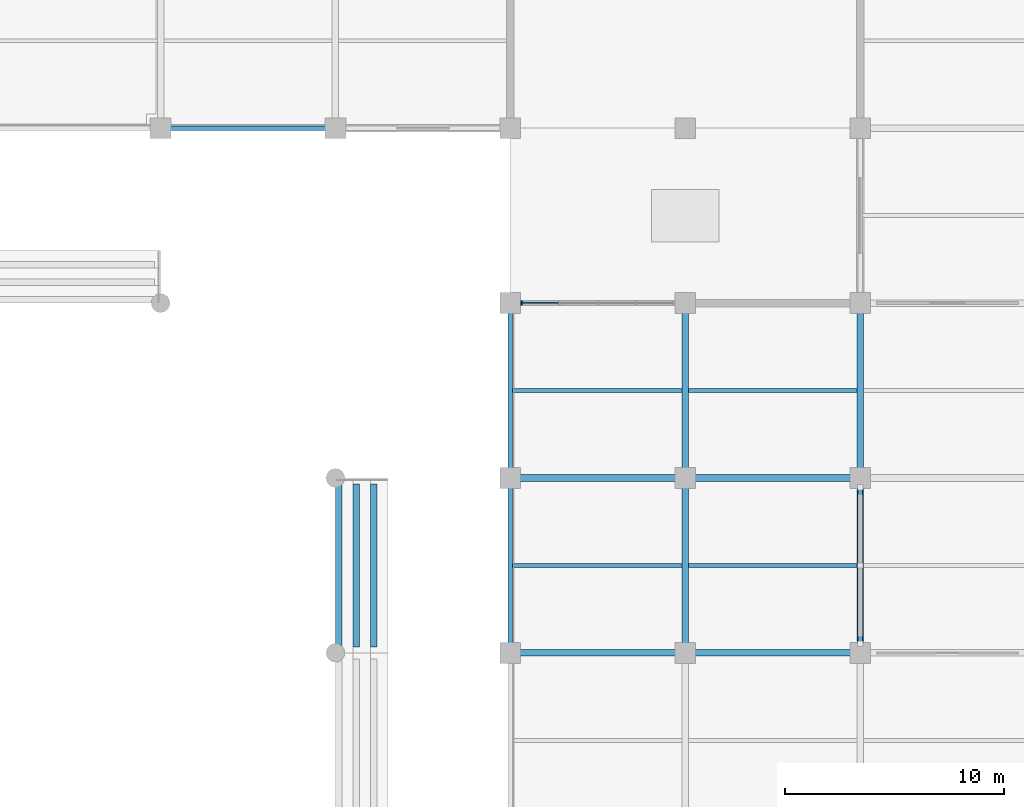
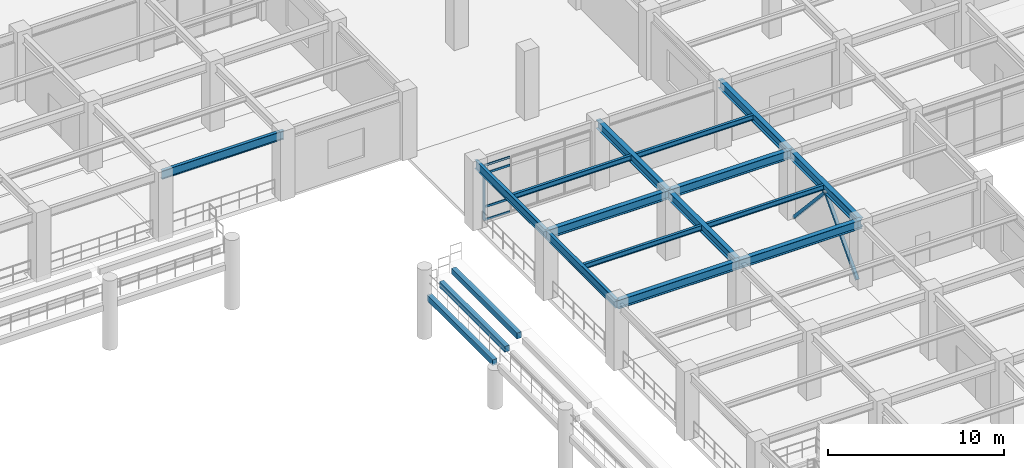
# One storey, part 44 of 109: 18 beams, 7 members, 1 element without a shape of its own.
"""IFC4 building model written with IfcOpenShell, lengths in metres."""

from ifc_helpers import new_model, si_unit, direction, frame, origin, origin_2d, place, context, subcontext, project, spatial, rectangle, hollow_rectangle, i_section, extrude, material, layer, layer_set, material_profile, profile_set, type_object, element, aggregate, save


model = new_model("IFC4")

# Units and contexts
model_context = context("Model", 3, precision=1e-05, world=origin(), true_north=direction((0.0, 1.0)))
body_context = subcontext(model_context, "Body", "Model", "MODEL_VIEW")
ifc_project = project(units=[si_unit("LENGTHUNIT", "METRE"), si_unit("AREAUNIT", "SQUARE_METRE"), si_unit("VOLUMEUNIT", "CUBIC_METRE"), si_unit("PLANEANGLEUNIT", "RADIAN"), si_unit("MASSUNIT", "GRAM", prefix="KILO")], contexts=[model_context])

# Site, building, storey
site_placement = place(None, origin())
site = spatial("IfcSite", under=ifc_project, at=site_placement, CompositionType="ELEMENT")
building_placement = place(site_placement, origin())
building = spatial("IfcBuilding", under=site, at=building_placement, Name="Haebicheon Civic Stadium", CompositionType="ELEMENT")
storey_placement = place(building_placement, frame((0.0, 0.0, 9.60009765625)))
storey = spatial("IfcBuildingStorey", under=building, at=storey_placement, Name="L03", CompositionType="ELEMENT", Elevation=9.60009765625)

# Beams
ifc_material_1 = material(Name="Precast concrete C40/50", Category="concrete")
ifc_material_profile_1 = material_profile(ifc_material_1, rectangle(XDim=0.300048828125, YDim=0.39990234375, at=origin_2d()), Name="PC-LN-300x400")
ifc_profile_set_1 = profile_set([ifc_material_profile_1], Name="Precast concrete C40/50")
beam_type_1 = type_object("IfcBeamType", Name="BM-LN-300x400", PredefinedType="LINTEL", material=ifc_profile_set_1)
for number, where, z_axis, x_axis, name in (
    (1, (136.159912109375, 128.280029296875, 2.760009765625), (0.0, 1.0, 0.0), (-1.0, 0.0, 0.0), "TIER-E-U precast step carrier beam 11.1"),
    (2, (136.9599609375, 128.280029296875, 3.40380859375), (0.0, 1.0, 0.0), (-1.0, 0.0, 0.0), "TIER-E-U precast step carrier beam 11.2"),
    (3, (137.760009765625, 128.280029296875, 4.048828125), (0.0, 1.0, 0.0), (-1.0, 0.0, 0.0), "TIER-E-U precast step carrier beam 11.3"),
):
    element("IfcBeam", number, at=place(storey_placement, frame(where, z_axis=z_axis, x_axis=x_axis)), inside=storey, type_object=beam_type_1, material=ifc_profile_set_1, Name=name, PredefinedType="LINTEL", context=body_context, shape_type="SweptSolid", body=[
        extrude(rectangle(XDim=0.300048828125, YDim=0.39990234375, at=origin_2d()), origin(), (0.0, 0.0, 1.0), 7.43994140625),
    ])
ifc_material_2 = material(Name="Steel SM355 (S355)", Category="steel")
ifc_material_profile_2 = material_profile(ifc_material_2, i_section(OverallWidth=0.300048828125, OverallDepth=0.60009765625, WebThickness=0.011962890625, FlangeThickness=0.02001953125, at=origin_2d()), Name="H-600x300x12x20")
ifc_profile_set_2 = profile_set([ifc_material_profile_2], Name="Steel SM355 (S355)")
beam_type_2 = type_object("IfcBeamType", Name="BM-ST-H600A", PredefinedType="BEAM", material=ifc_profile_set_2)
for number, where, z_axis, x_axis, name in (
    (4, (152.0, 128.0, 4.239990234375), (0.0, 1.0, 0.0), (-1.0, 0.0, 0.0), "L03 girder 20/S-T"),
    (5, (152.0, 136.0, 4.239990234375), (0.0, 1.0, 0.0), (-1.0, 0.0, 0.0), "L03 girder 20/T-U"),
    (6, (160.0, 128.0, 4.239990234375), (0.0, 1.0, 0.0), (-1.0, 0.0, 0.0), "L03 girder 21/S-T"),
    (7, (160.0, 136.0, 4.239990234375), (0.0, 1.0, 0.0), (-1.0, 0.0, 0.0), "L03 girder 21/T-U"),
    (8, (144.0, 128.0, 4.239990234375), (1.0, 0.0, 0.0), (0.0, 1.0, 0.0), "L03 beam S/19-20"),
    (9, (144.0, 136.0, 4.239990234375), (1.0, 0.0, 0.0), (0.0, 1.0, 0.0), "L03 beam T/19-20"),
    (10, (152.0, 128.0, 4.239990234375), (1.0, 0.0, 0.0), (0.0, 1.0, 0.0), "L03 beam S/20-21"),
    (11, (152.0, 136.0, 4.239990234375), (1.0, 0.0, 0.0), (0.0, 1.0, 0.0), "L03 beam T/20-21"),
):
    element("IfcBeam", number, at=place(storey_placement, frame(where, z_axis=z_axis, x_axis=x_axis)), inside=storey, type_object=beam_type_2, material=ifc_profile_set_2, Name=name, PredefinedType="BEAM", context=body_context, shape_type="SweptSolid", body=[
        extrude(i_section(OverallWidth=0.300048828125, OverallDepth=0.60009765625, WebThickness=0.011962890625, FlangeThickness=0.02001953125, at=origin_2d()), origin(), (0.0, 0.0, 1.0), 8.0),
    ])

# Members
ifc_material_3 = material(Name="Steel SM355 (S355)", Category="steel")
ifc_material_profile_3 = material_profile(ifc_material_3, hollow_rectangle(XDim=0.199951171875, YDim=0.199951171875, WallThickness=0.009033203125, at=origin_2d()), Name="RHS-200x200x9.0")
ifc_profile_set_3 = profile_set([ifc_material_profile_3], Name="Steel SM355 (S355)")
member_type_1 = type_object("IfcMemberType", Name="BRC-RHS200", PredefinedType="BRACE", material=ifc_profile_set_3)
for number, where, z_axis, x_axis, name in (
    (12, (160.0, 128.419921875, 0.039794921875), (0.0, 0.676231908598, 0.736688812046), (-1.0, 0.0, 0.0), "BR200 chevron brace L03 19-16 A"),
    (13, (160.0, 135.580078125, 0.039794921875), (0.0, -0.676231908598, 0.736688812046), (1.0, 0.0, 0.0), "BR200 chevron brace L03 19-16 B"),
):
    element("IfcMember", number, at=place(storey_placement, frame(where, z_axis=z_axis, x_axis=x_axis)), inside=storey, type_object=member_type_1, material=ifc_profile_set_3, Name=name, PredefinedType="BRACE", context=body_context, shape_type="SweptSolid", body=[
        extrude(hollow_rectangle(XDim=0.199951171875, YDim=0.199951171875, WallThickness=0.009033203125, at=origin_2d()), origin(), (0.0, 0.0, 1.0), 5.294189453125),
    ])

# Curtain wall, members
ifc_material_4 = material(Name="Anodised aluminium and laminated glass", Category="aluminium")
ifc_layer = layer(ifc_material_4, 0.179931640625, Name="Anodised aluminium and laminated glass")
ifc_layer_set = layer_set([ifc_layer], Name="Anodised aluminium and laminated glass")
curtain_wall_type = type_object("IfcCurtainWallType", Name="CW-7050x3770", PredefinedType="NOTDEFINED", material=ifc_layer_set)
curtain_wall_placement = place(storey_placement, origin())
curtain_wall = element("IfcCurtainWall", 14, at=curtain_wall_placement, inside=storey, type_object=curtain_wall_type, material=ifc_layer_set, Name="L03 unitised curtain wall 084", PredefinedType="NOTDEFINED")
ifc_material_5 = material(Name="Anodised aluminium 6063-T6", Category="aluminium")
ifc_material_profile_4 = material_profile(ifc_material_5, rectangle(XDim=0.070068359375, YDim=0.199951171875, at=origin_2d()), Name="ALU-MULL-70x200")
ifc_profile_set_4 = profile_set([ifc_material_profile_4], Name="Anodised aluminium 6063-T6")
member_type_2 = type_object("IfcMemberType", Name="CWM-200x70", PredefinedType="MULLION", material=ifc_profile_set_4)
member_1_placement = place(storey_placement, frame((144.510009765625, 144.0, 0.159912109375), z_axis=(0.0, 0.0, 1.0), x_axis=(1.0, 0.0, 0.0)))
member_1 = element("IfcMember", 15, at=member_1_placement, type_object=member_type_2, material=ifc_profile_set_4, Name="CW-L03-084 vertical mullion 1", PredefinedType="MULLION", context=body_context, shape_type="SweptSolid", body=[
    extrude(rectangle(XDim=0.070068359375, YDim=0.199951171875, at=origin_2d()), origin(), (0.0, 0.0, 1.0), 3.77001953125),
])
ifc_material_6 = material(Name="Anodised aluminium 6063-T6", Category="aluminium")
ifc_material_profile_5 = material_profile(ifc_material_6, rectangle(XDim=0.070068359375, YDim=0.14990234375, at=origin_2d()), Name="ALU-TRAN-70x150")
ifc_profile_set_5 = profile_set([ifc_material_profile_5], Name="Anodised aluminium 6063-T6")
member_type_3 = type_object("IfcMemberType", Name="CWT-150x70", PredefinedType="NOTDEFINED", material=ifc_profile_set_5)
member_2_placement = place(storey_placement, frame((144.544921875, 144.0, 0.159912109375), z_axis=(1.0, 0.0, 0.0), x_axis=(0.0, 1.0, 0.0)))
member_2 = element("IfcMember", 16, at=member_2_placement, type_object=member_type_3, material=ifc_profile_set_5, Name="CW-L03-084 horizontal transom 1.1", ObjectType="TRANSOM", PredefinedType="USERDEFINED", context=body_context, shape_type="SweptSolid", body=[
    extrude(rectangle(XDim=0.070068359375, YDim=0.14990234375, at=origin_2d()), origin(), (0.0, 0.0, 1.0), 1.656982421875),
])
member_3_placement = place(storey_placement, frame((144.544921875, 144.0, 1.059814453125), z_axis=(1.0, 0.0, 0.0), x_axis=(0.0, 1.0, 0.0)))
member_3 = element("IfcMember", 17, at=member_3_placement, type_object=member_type_3, material=ifc_profile_set_5, Name="CW-L03-084 horizontal transom 1.2", ObjectType="TRANSOM", PredefinedType="USERDEFINED", context=body_context, shape_type="SweptSolid", body=[
    extrude(rectangle(XDim=0.070068359375, YDim=0.14990234375, at=origin_2d()), origin(), (0.0, 0.0, 1.0), 1.656982421875),
])
member_4_placement = place(storey_placement, frame((144.544921875, 144.0, 3.3798828125), z_axis=(1.0, 0.0, 0.0), x_axis=(0.0, 1.0, 0.0)))
member_4 = element("IfcMember", 18, at=member_4_placement, type_object=member_type_3, material=ifc_profile_set_5, Name="CW-L03-084 horizontal transom 1.3", ObjectType="TRANSOM", PredefinedType="USERDEFINED", context=body_context, shape_type="SweptSolid", body=[
    extrude(rectangle(XDim=0.070068359375, YDim=0.14990234375, at=origin_2d()), origin(), (0.0, 0.0, 1.0), 1.656982421875),
])
member_5_placement = place(storey_placement, frame((144.544921875, 144.0, 3.929931640625), z_axis=(1.0, 0.0, 0.0), x_axis=(0.0, 1.0, 0.0)))
member_5 = element("IfcMember", 19, at=member_5_placement, type_object=member_type_3, material=ifc_profile_set_5, Name="CW-L03-084 horizontal transom 1.4", ObjectType="TRANSOM", PredefinedType="USERDEFINED", context=body_context, shape_type="SweptSolid", body=[
    extrude(rectangle(XDim=0.070068359375, YDim=0.14990234375, at=origin_2d()), origin(), (0.0, 0.0, 1.0), 1.656982421875),
])
aggregate(curtain_wall, [member_1, member_2, member_3, member_4, member_5])

# Beams
ifc_material_7 = material(Name="Steel SM355 (S355)", Category="steel")
ifc_material_profile_6 = material_profile(ifc_material_7, i_section(OverallWidth=0.175048828125, OverallDepth=0.35009765625, WebThickness=0.007080078125, FlangeThickness=0.010986328125, at=origin_2d()), Name="H-350x175x7x11")
ifc_profile_set_6 = profile_set([ifc_material_profile_6], Name="Steel SM355 (S355)")
beam_type_3 = type_object("IfcBeamType", Name="JST-ST-H350", PredefinedType="JOIST", material=ifc_profile_set_6)
for number, where, z_axis, x_axis, name in (
    (20, (144.10009765625, 132.0, 4.364990234375), (1.0, 0.0, 0.0), (0.0, 1.0, 0.0), "L03 secondary joist 18-16"),
    (21, (144.10009765625, 140.0, 4.364990234375), (1.0, 0.0, 0.0), (0.0, 1.0, 0.0), "L03 secondary joist 18-17"),
):
    element("IfcBeam", number, at=place(storey_placement, frame(where, z_axis=z_axis, x_axis=x_axis)), inside=storey, type_object=beam_type_3, material=ifc_profile_set_6, Name=name, PredefinedType="JOIST", context=body_context, shape_type="SweptSolid", body=[
        extrude(i_section(OverallWidth=0.175048828125, OverallDepth=0.35009765625, WebThickness=0.007080078125, FlangeThickness=0.010986328125, at=origin_2d()), origin(), (0.0, 0.0, 1.0), 7.75),
    ])
for number, where, z_axis, x_axis, name in (
    (22, (152.14990234375, 132.0, 4.364990234375), (1.0, 0.0, 0.0), (0.0, 1.0, 0.0), "L03 secondary joist 19-16"),
    (23, (152.14990234375, 140.0, 4.364990234375), (1.0, 0.0, 0.0), (0.0, 1.0, 0.0), "L03 secondary joist 19-17"),
):
    element("IfcBeam", number, at=place(storey_placement, frame(where, z_axis=z_axis, x_axis=x_axis)), inside=storey, type_object=beam_type_3, material=ifc_profile_set_6, Name=name, PredefinedType="JOIST", context=body_context, shape_type="SweptSolid", body=[
        extrude(i_section(OverallWidth=0.175048828125, OverallDepth=0.35009765625, WebThickness=0.007080078125, FlangeThickness=0.010986328125, at=origin_2d()), origin(), (0.0, 0.0, 1.0), 7.7001953125),
    ])
ifc_material_8 = material(Name="Steel SM355 (S355)", Category="steel")
ifc_material_profile_7 = material_profile(ifc_material_8, i_section(OverallWidth=0.199951171875, OverallDepth=0.60009765625, WebThickness=0.010986328125, FlangeThickness=0.01708984375, at=origin_2d()), Name="H-600x200x11x17")
ifc_profile_set_7 = profile_set([ifc_material_profile_7], Name="Steel SM355 (S355)")
beam_type_4 = type_object("IfcBeamType", Name="SPD-ST-H600B", PredefinedType="SPANDREL", material=ifc_profile_set_7)
for number, where, z_axis, x_axis, name in (
    (24, (144.0, 128.0, 4.239990234375), (0.0, 1.0, 0.0), (-1.0, 0.0, 0.0), "L03 girder 19/S-T"),
    (25, (144.0, 136.0, 4.239990234375), (0.0, 1.0, 0.0), (-1.0, 0.0, 0.0), "L03 girder 19/T-U"),
    (26, (128.0, 152.0, 4.239990234375), (1.0, 0.0, 0.0), (0.0, 1.0, 0.0), "L03 beam V/17-18"),
):
    element("IfcBeam", number, at=place(storey_placement, frame(where, z_axis=z_axis, x_axis=x_axis)), inside=storey, type_object=beam_type_4, material=ifc_profile_set_7, Name=name, PredefinedType="SPANDREL", context=body_context, shape_type="SweptSolid", body=[
        extrude(i_section(OverallWidth=0.199951171875, OverallDepth=0.60009765625, WebThickness=0.010986328125, FlangeThickness=0.01708984375, at=origin_2d()), origin(), (0.0, 0.0, 1.0), 8.0),
    ])

save(model, "model.ifc")
